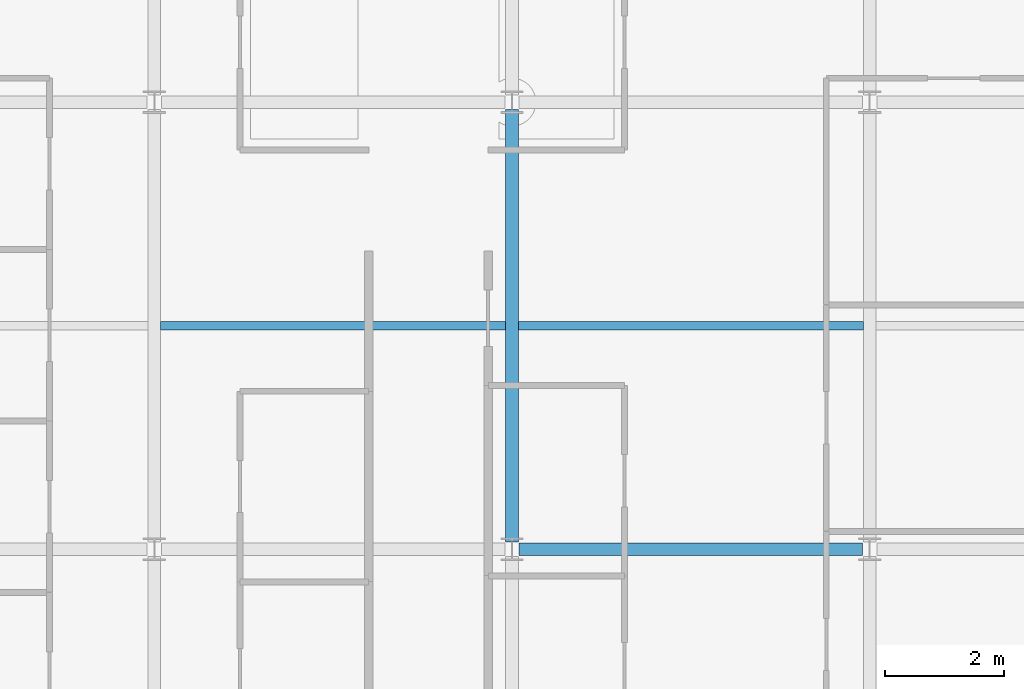
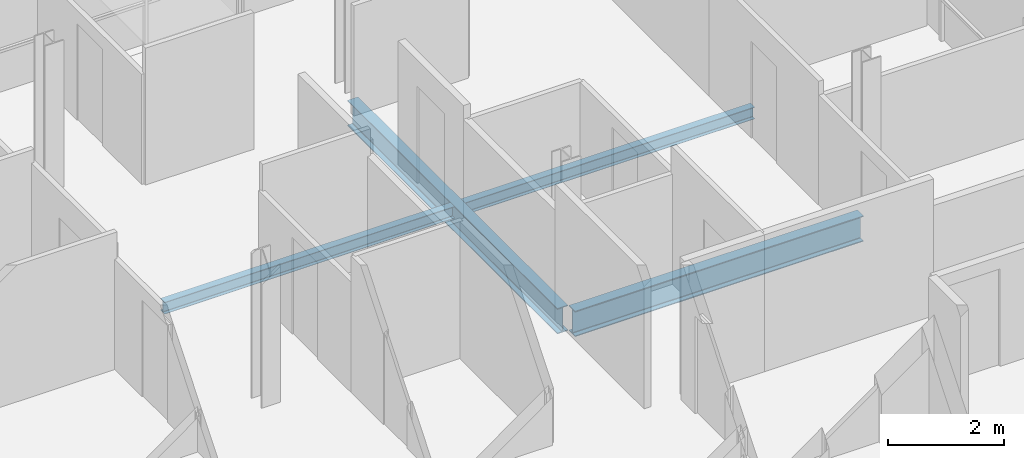
# One storey, part 7 of 29: 4 beams.
"""IFC4 building model written with IfcOpenShell, lengths in metres."""

from ifc_helpers import new_model, si_unit, direction, frame, origin, origin_2d, place, context, subcontext, project, spatial, i_section, extrude, material, material_profile, profile_set, type_object, element, save


model = new_model("IFC4")

# Units and contexts
model_context = context("Model", 3, precision=1e-05, world=origin(), true_north=direction((0.0, 1.0)))
body_context = subcontext(model_context, "Body", "Model", "MODEL_VIEW")
ifc_project = project(units=[si_unit("LENGTHUNIT", "METRE"), si_unit("AREAUNIT", "SQUARE_METRE"), si_unit("VOLUMEUNIT", "CUBIC_METRE"), si_unit("PLANEANGLEUNIT", "RADIAN"), si_unit("MASSUNIT", "GRAM", prefix="KILO")], contexts=[model_context])

# Site, building, storey
site_placement = place(None, origin())
site = spatial("IfcSite", under=ifc_project, at=site_placement, CompositionType="ELEMENT")
building_placement = place(site_placement, origin())
building = spatial("IfcBuilding", under=site, at=building_placement, Name="Brevholm Reach", CompositionType="ELEMENT")
storey_placement = place(building_placement, frame((0.0, 0.0, 208.0)))
storey = spatial("IfcBuildingStorey", under=building, at=storey_placement, Name="L63", CompositionType="ELEMENT", Elevation=208.0)

# Beams
ifc_material_1 = material(Name="Structural Steel S355J2", Category="steel")
ifc_material_profile_1 = material_profile(ifc_material_1, i_section(OverallWidth=0.14599609375, OverallDepth=0.25146484375, WebThickness=0.006103515625, FlangeThickness=0.008544921875, FilletRadius=0.007568359375, at=origin_2d()), Name="UKB 254x146x31")
ifc_profile_set_1 = profile_set([ifc_material_profile_1], Name="Structural Steel S355J2")
beam_type_1 = type_object("IfcBeamType", Name="BM-B254", PredefinedType="BEAM", material=ifc_profile_set_1)
for number, where, z_axis, x_axis, name in (
    (1, (6.10546875, 19.75, -0.335693359375), (1.0, 0.0, 0.0), (0.0, 1.0, 0.0), "L63 Composite Secondary Floor Beam"),
    (2, (12.10546875, 19.75, -0.335693359375), (1.0, 0.0, 0.0), (0.0, 1.0, 0.0), "L63 Composite Secondary Floor Beam"),
):
    element("IfcBeam", number, at=place(storey_placement, frame(where, z_axis=z_axis, x_axis=x_axis)), inside=storey, type_object=beam_type_1, Name=name, PredefinedType="BEAM", context=body_context, shape_type="SweptSolid", body=[
        extrude(i_section(OverallWidth=0.14599609375, OverallDepth=0.25146484375, WebThickness=0.006103515625, FlangeThickness=0.008544921875, FilletRadius=0.007568359375, at=origin_2d()), origin(), (0.0, 0.0, 1.0), 5.7890625),
    ])
ifc_material_2 = material(Name="Structural Steel S355J2", Category="steel")
ifc_material_profile_2 = material_profile(ifc_material_2, i_section(OverallWidth=0.210693359375, OverallDepth=0.53955078125, WebThickness=0.01171875, FlangeThickness=0.018798828125, FilletRadius=0.0126953125, at=origin_2d()), Name="UKB 533x210x109")
ifc_profile_set_2 = profile_set([ifc_material_profile_2], Name="Structural Steel S355J2")
beam_type_2 = type_object("IfcBeamType", Name="BM-SP539", PredefinedType="SPANDREL", material=ifc_profile_set_2)
beam_1_placement = place(storey_placement, frame((12.1201171875, 16.0, -0.479736328125), z_axis=(1.0, 0.0, 0.0), x_axis=(0.0, 1.0, 0.0)))
element("IfcBeam", 3, at=beam_1_placement, inside=storey, type_object=beam_type_2, Name="L63 SP-01B Framing Beam", PredefinedType="SPANDREL", context=body_context, shape_type="SweptSolid", body=[
    extrude(i_section(OverallWidth=0.210693359375, OverallDepth=0.53955078125, WebThickness=0.01171875, FlangeThickness=0.018798828125, FilletRadius=0.0126953125, at=origin_2d()), origin(), (0.0, 0.0, 1.0), 5.759765625),
])
beam_2_placement = place(storey_placement, frame((12.0, 16.1201171875, -0.479736328125), z_axis=(0.0, 1.0, 0.0), x_axis=(-1.0, 0.0, 0.0)))
element("IfcBeam", 4, at=beam_2_placement, inside=storey, type_object=beam_type_2, Name="L63 SP-01B Framing Beam", PredefinedType="SPANDREL", context=body_context, shape_type="SweptSolid", body=[
    extrude(i_section(OverallWidth=0.210693359375, OverallDepth=0.53955078125, WebThickness=0.01171875, FlangeThickness=0.018798828125, FilletRadius=0.0126953125, at=origin_2d()), origin(), (0.0, 0.0, 1.0), 7.259765625),
])

save(model, "model.ifc")
